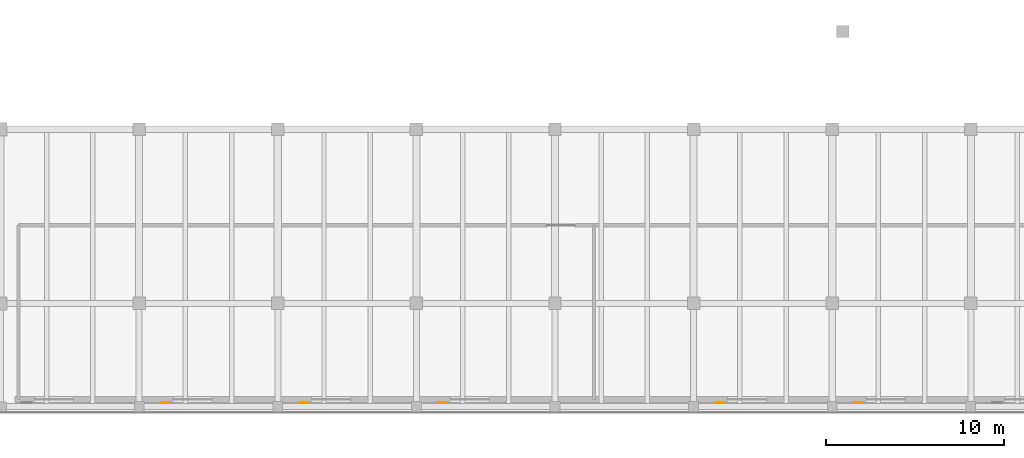
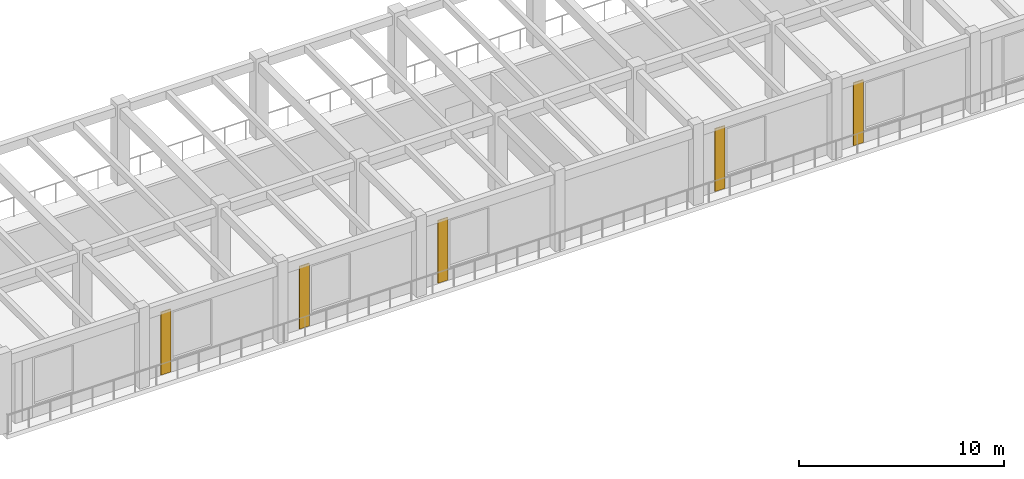
# One storey, part 90 of 98: 5 coverings.
"""IFC4 building model written with IfcOpenShell, lengths in metres."""

from ifc_helpers import new_model, si_unit, direction, frame, origin, origin_2d, place, context, subcontext, project, spatial, rectangle, extrude, material, layer, layer_set, type_object, element, save


model = new_model("IFC4")

# Units and contexts
model_context = context("Model", 3, precision=1e-05, world=origin(), true_north=direction((0.0, 1.0)))
body_context = subcontext(model_context, "Body", "Model", "MODEL_VIEW")
ifc_project = project(units=[si_unit("LENGTHUNIT", "METRE"), si_unit("AREAUNIT", "SQUARE_METRE"), si_unit("VOLUMEUNIT", "CUBIC_METRE"), si_unit("PLANEANGLEUNIT", "RADIAN"), si_unit("MASSUNIT", "GRAM", prefix="KILO")], contexts=[model_context])

# Site, building, storey
site_placement = place(None, origin())
site = spatial("IfcSite", under=ifc_project, at=site_placement, CompositionType="ELEMENT")
building_placement = place(site_placement, origin())
building = spatial("IfcBuilding", under=site, at=building_placement, Name="Pelvatis Terrace Science Centre", CompositionType="ELEMENT")
storey_placement = place(building_placement, frame((0.0, 0.0, 5.39990234375)))
storey = spatial("IfcBuildingStorey", under=building, at=storey_placement, Name="L01", CompositionType="ELEMENT", Elevation=5.39990234375)

# Coverings
ifc_material = material(Name="Fluted warm stone-aggregate precast facade relief panel", Category="masonry")
ifc_layer = layer(ifc_material, 0.054931640625)
ifc_layer_set = layer_set([ifc_layer], Name="Fluted warm stone-aggregate precast facade relief panel")
covering_type = type_object("IfcCoveringType", Name="COV-CLAD-PREC-55", PredefinedType="CLADDING", material=ifc_layer_set)
for number, where, z_axis, x_axis, name in (
    (1, (71.679931640625, 0.60498046875, 0.06005859375), (0.0, 0.0, 1.0), (1.0, 0.0, 0.0), "Classical fluted stone pilaster strip 02"),
    (2, (79.47998046875, 0.60498046875, 0.06005859375), (0.0, 0.0, 1.0), (1.0, 0.0, 0.0), "Classical fluted stone pilaster strip 03"),
    (3, (87.280029296875, 0.60498046875, 0.06005859375), (0.0, 0.0, 1.0), (1.0, 0.0, 0.0), "Classical fluted stone pilaster strip 04"),
    (4, (102.8798828125, 0.60498046875, 0.06005859375), (0.0, 0.0, 1.0), (1.0, 0.0, 0.0), "Classical fluted stone pilaster strip 05"),
    (5, (110.679931640625, 0.60498046875, 0.06005859375), (0.0, 0.0, 1.0), (1.0, 0.0, 0.0), "Classical fluted stone pilaster strip 06"),
):
    element("IfcCovering", number, at=place(storey_placement, frame(where, z_axis=z_axis, x_axis=x_axis)), inside=storey, type_object=covering_type, Name=name, PredefinedType="CLADDING", context=body_context, shape_type="SweptSolid", body=[
        extrude(rectangle(XDim=0.550048828125, YDim=0.054931640625, at=origin_2d()), origin(), (0.0, 0.0, 1.0), 3.739990234375),
    ])

save(model, "model.ifc")
